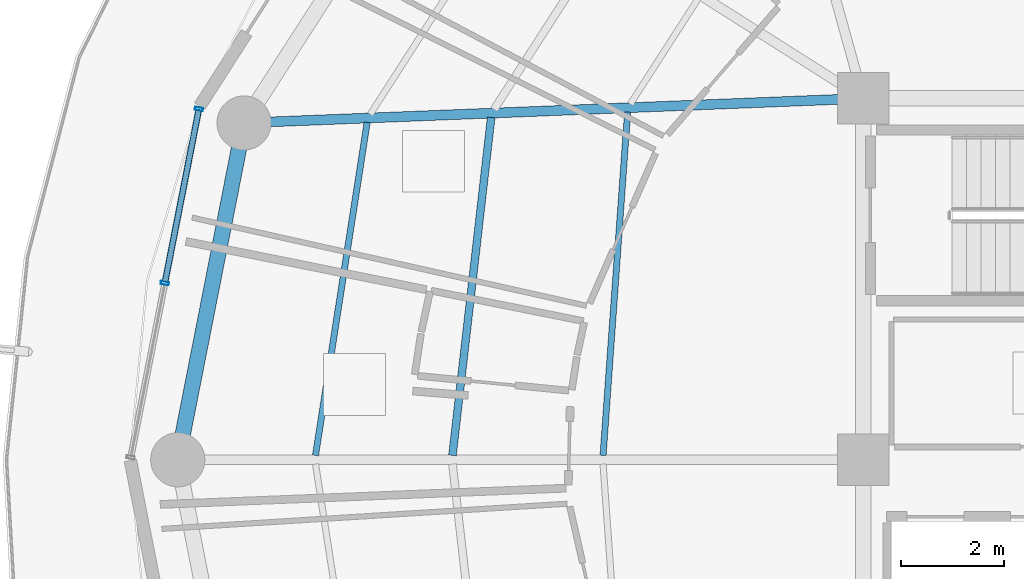
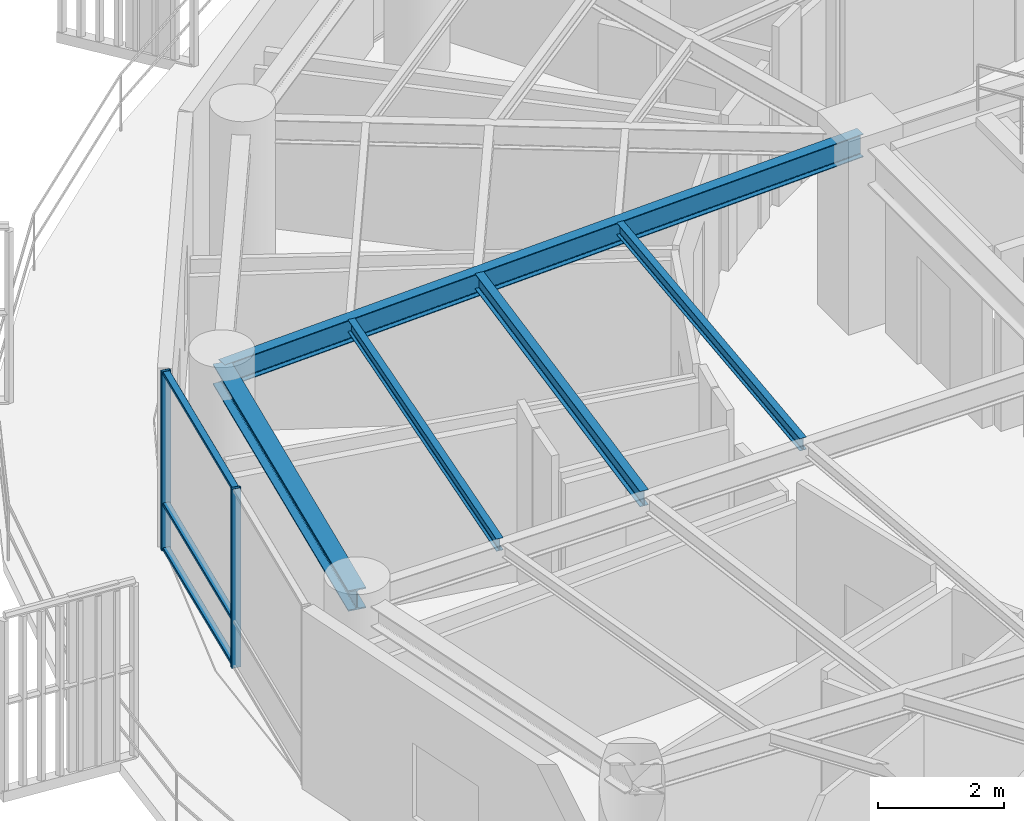
# One storey, part 8 of 30: 5 beams, 5 members, 1 element without a shape of its own.
"""IFC4 building model written with IfcOpenShell, lengths in metres."""

from ifc_helpers import new_model, si_unit, direction, frame, origin, origin_2d, place, context, subcontext, project, spatial, hollow_rectangle, i_section, extrude, material, layer, layer_set, material_profile, profile_set, type_object, element, aggregate, save


model = new_model("IFC4")

# Units and contexts
model_context = context("Model", 3, precision=1e-05, world=origin(), true_north=direction((0.0, 1.0)))
body_context = subcontext(model_context, "Body", "Model", "MODEL_VIEW")
ifc_project = project(units=[si_unit("LENGTHUNIT", "METRE"), si_unit("AREAUNIT", "SQUARE_METRE"), si_unit("VOLUMEUNIT", "CUBIC_METRE"), si_unit("PLANEANGLEUNIT", "RADIAN"), si_unit("MASSUNIT", "GRAM", prefix="KILO")], contexts=[model_context])

# Site, building, storey
site_placement = place(None, origin())
site = spatial("IfcSite", under=ifc_project, at=site_placement, CompositionType="ELEMENT")
building_placement = place(site_placement, origin())
building = spatial("IfcBuilding", under=site, at=building_placement, Name="Kelanora Arch Commons", CompositionType="ELEMENT")
storey_placement = place(building_placement, frame((0.0, 0.0, 234.449951171875)))
storey = spatial("IfcBuildingStorey", under=building, at=storey_placement, Name="L60", CompositionType="ELEMENT", Elevation=234.449951171875)

# Beams
ifc_material_1 = material(Name="Steel S355", Category="steel")
ifc_material_profile_1 = material_profile(ifc_material_1, i_section(OverallWidth=0.14990234375, OverallDepth=0.300048828125, WebThickness=0.007080078125, FlangeThickness=0.0107421875, FilletRadius=0.014892578125, at=origin_2d()), Name="IPE300")
ifc_profile_set_1 = profile_set([ifc_material_profile_1], Name="Steel S355")
beam_type_1 = type_object("IfcBeamType", Name="BM-JST-01", PredefinedType="JOIST", material=ifc_profile_set_1)
beam_1_placement = place(storey_placement, frame((58.792236328125, 64.631103515625, 3.340087890625), z_axis=(-0.113891408177, -0.993493204377, 0.0), x_axis=(0.993493204377, -0.113891408177, 0.0)))
element("IfcBeam", 1, at=beam_1_placement, inside=storey, type_object=beam_type_1, Name="Secondary Chord Joist BJB-16 L60", PredefinedType="JOIST", context=body_context, shape_type="SweptSolid", body=[
    extrude(i_section(OverallWidth=0.14990234375, OverallDepth=0.300048828125, WebThickness=0.007080078125, FlangeThickness=0.0107421875, FilletRadius=0.014892578125, at=origin_2d()), origin(), (0.0, 0.0, 1.0), 6.589599609375),
])
ifc_material_profile_2 = material_profile(ifc_material_1, i_section(OverallWidth=0.1201171875, OverallDepth=0.239990234375, WebThickness=0.006103515625, FlangeThickness=0.009765625, FilletRadius=0.014892578125, at=origin_2d()), Name="IPE240")
ifc_profile_set_2 = profile_set([ifc_material_profile_2], Name="Steel S355")
beam_type_2 = type_object("IfcBeamType", Name="BM-JST-02", PredefinedType="JOIST", material=ifc_profile_set_2)
beam_2_placement = place(storey_placement, frame((61.435302734375, 64.735107421875, 3.3701171875), z_axis=(-0.07133032136, -0.997452748382, 0.0), x_axis=(0.997452748382, -0.07133032136, 0.0)))
element("IfcBeam", 2, at=beam_2_placement, inside=storey, type_object=beam_type_2, Name="Secondary Chord Joist BJA-16 L60", PredefinedType="JOIST", context=body_context, shape_type="SweptSolid", body=[
    extrude(i_section(OverallWidth=0.1201171875, OverallDepth=0.239990234375, WebThickness=0.006103515625, FlangeThickness=0.009765625, FilletRadius=0.014892578125, at=origin_2d()), origin(), (0.0, 0.0, 1.0), 6.66748046875),
])
beam_3_placement = place(storey_placement, frame((56.3896484375, 64.53662109375, 3.3701171875), z_axis=(-0.153256756152, -0.988186402808, 0.0), x_axis=(0.988186402808, -0.153256756152, 0.0)))
element("IfcBeam", 3, at=beam_3_placement, inside=storey, type_object=beam_type_2, Name="Secondary Chord Joist BJC-16 L60", PredefinedType="JOIST", context=body_context, shape_type="SweptSolid", body=[
    extrude(i_section(OverallWidth=0.1201171875, OverallDepth=0.239990234375, WebThickness=0.006103515625, FlangeThickness=0.009765625, FilletRadius=0.014892578125, at=origin_2d()), origin(), (0.0, 0.0, 1.0), 6.52978515625),
])
ifc_material_profile_3 = material_profile(ifc_material_1, i_section(OverallWidth=0.18994140625, OverallDepth=0.449951171875, WebThickness=0.009521484375, FlangeThickness=0.0146484375, FilletRadius=0.02099609375, at=origin_2d()), Name="IPE450")
ifc_profile_set_3 = profile_set([ifc_material_profile_3], Name="Steel S355")
beam_type_3 = type_object("IfcBeamType", Name="BM-RAD-Z4", PredefinedType="BEAM", material=ifc_profile_set_3)
beam_4_placement = place(storey_placement, frame((66.0, 65.0, 3.26513671875), z_axis=(-0.999219142585, -0.03951082246, 0.0), x_axis=(0.03951082246, -0.999219142585, 0.0)))
element("IfcBeam", 4, at=beam_4_placement, inside=storey, type_object=beam_type_3, Name="Radial Floor Girder BR-16 L60", PredefinedType="BEAM", context=body_context, shape_type="SweptSolid", body=[
    extrude(i_section(OverallWidth=0.18994140625, OverallDepth=0.449951171875, WebThickness=0.009521484375, FlangeThickness=0.0146484375, FilletRadius=0.02099609375, at=origin_2d()), origin(), (0.0, 0.0, 1.0), 12.005859375),
])
ifc_material_profile_4 = material_profile(ifc_material_1, i_section(OverallWidth=0.300048828125, OverallDepth=0.39990234375, WebThickness=0.013427734375, FlangeThickness=0.02392578125, FilletRadius=0.027099609375, at=origin_2d()), Name="HEB400")
ifc_profile_set_4 = profile_set([ifc_material_profile_4], Name="Steel S355")
beam_type_4 = type_object("IfcBeamType", Name="BM-SPN-Z4", PredefinedType="SPANDREL", material=ifc_profile_set_4)
beam_5_placement = place(storey_placement, frame((54.00341796875, 64.525634765625, 3.2900390625), z_axis=(-0.192980724826, -0.981202547819, 0.0), x_axis=(0.981202547819, -0.192980724826, 0.0)))
element("IfcBeam", 5, at=beam_5_placement, inside=storey, type_object=beam_type_4, Name="Perimeter Spandrel Beam BS-16 L60", PredefinedType="SPANDREL", context=body_context, shape_type="SweptSolid", body=[
    extrude(i_section(OverallWidth=0.300048828125, OverallDepth=0.39990234375, WebThickness=0.013427734375, FlangeThickness=0.02392578125, FilletRadius=0.027099609375, at=origin_2d()), origin(), (0.0, 0.0, 1.0), 6.650634765625),
])

# Curtain wall, members
ifc_material_2 = material(Name="Terracotta ceramic-fritted low-E glass and aluminium", Category="masonry")
ifc_layer = layer(ifc_material_2, 0.175048828125)
ifc_layer_set = layer_set([ifc_layer], Name="Terracotta ceramic-fritted low-E glass and aluminium")
curtain_wall_type = type_object("IfcCurtainWallType", Name="CW-SYS-02", PredefinedType="NOTDEFINED", material=ifc_layer_set)
curtain_wall_placement = place(storey_placement, origin())
curtain_wall = element("IfcCurtainWall", 6, at=curtain_wall_placement, inside=storey, type_object=curtain_wall_type, Name="Unitised Curtain Wall L60-B08", PredefinedType="NOTDEFINED")
ifc_material_3 = material(Name="Powder-coated aluminium terracotta", Category="masonry")
ifc_material_profile_5 = material_profile(ifc_material_3, hollow_rectangle(XDim=0.159912109375, YDim=0.06005859375, WallThickness=0.0048828125, InnerFilletRadius=0.0048828125, OuterFilletRadius=0.010009765625, at=origin_2d()), Name="CWM160x60")
ifc_profile_set_5 = profile_set([ifc_material_profile_5], Name="Powder-coated aluminium terracotta")
member_type_1 = type_object("IfcMemberType", Name="CWM-STD", PredefinedType="MULLION", material=ifc_profile_set_5)
member_1_placement = place(storey_placement, frame((53.130126953125, 64.796142578125, 0.0), z_axis=(0.0, 0.0, 1.0), x_axis=(0.981381438349, -0.192068926335, 0.0)))
member_1 = element("IfcMember", 7, at=member_1_placement, type_object=member_type_1, Name="CW-02 mullion 1", PredefinedType="MULLION", context=body_context, shape_type="SweptSolid", body=[
    extrude(hollow_rectangle(XDim=0.159912109375, YDim=0.06005859375, WallThickness=0.0048828125, InnerFilletRadius=0.0048828125, OuterFilletRadius=0.010009765625, at=origin_2d()), origin(), (0.0, 0.0, 1.0), 3.47509765625),
])
member_2_placement = place(storey_placement, frame((52.469482421875, 61.420166015625, 0.0), z_axis=(0.0, 0.0, 1.0), x_axis=(0.981381438349, -0.192068926335, 0.0)))
member_2 = element("IfcMember", 8, at=member_2_placement, type_object=member_type_1, Name="CW-02 mullion 2", PredefinedType="MULLION", context=body_context, shape_type="SweptSolid", body=[
    extrude(hollow_rectangle(XDim=0.159912109375, YDim=0.06005859375, WallThickness=0.0048828125, InnerFilletRadius=0.0048828125, OuterFilletRadius=0.010009765625, at=origin_2d()), origin(), (0.0, 0.0, 1.0), 3.47509765625),
])
ifc_material_profile_6 = material_profile(ifc_material_3, hollow_rectangle(XDim=0.1201171875, YDim=0.06005859375, WallThickness=0.0048828125, InnerFilletRadius=0.0048828125, OuterFilletRadius=0.010009765625, at=origin_2d()), Name="CWT120x60")
ifc_profile_set_6 = profile_set([ifc_material_profile_6], Name="Powder-coated aluminium terracotta")
member_type_2 = type_object("IfcMemberType", Name="CWT-STD", PredefinedType="USERDEFINED", material=ifc_profile_set_6)
member_3_placement = place(storey_placement, frame((53.124267578125, 64.766845703125, 0.030029296875), z_axis=(-0.192058488005, -0.981383481207, 0.0), x_axis=(0.981383481207, -0.192058488005, 0.0)))
member_3 = element("IfcMember", 9, at=member_3_placement, type_object=member_type_2, Name="CW-02 transom 1.1", ObjectType="TRANSOM", PredefinedType="USERDEFINED", context=body_context, shape_type="SweptSolid", body=[
    extrude(hollow_rectangle(XDim=0.1201171875, YDim=0.06005859375, WallThickness=0.0048828125, InnerFilletRadius=0.0048828125, OuterFilletRadius=0.010009765625, at=origin_2d()), origin(), (0.0, 0.0, 1.0), 3.380126953125),
])
member_4_placement = place(storey_placement, frame((53.124267578125, 64.766845703125, 0.900146484375), z_axis=(-0.192058488005, -0.981383481207, 0.0), x_axis=(0.981383481207, -0.192058488005, 0.0)))
member_4 = element("IfcMember", 10, at=member_4_placement, type_object=member_type_2, Name="CW-02 transom 1.2", ObjectType="TRANSOM", PredefinedType="USERDEFINED", context=body_context, shape_type="SweptSolid", body=[
    extrude(hollow_rectangle(XDim=0.1201171875, YDim=0.06005859375, WallThickness=0.0048828125, InnerFilletRadius=0.0048828125, OuterFilletRadius=0.010009765625, at=origin_2d()), origin(), (0.0, 0.0, 1.0), 3.380126953125),
])
member_5_placement = place(storey_placement, frame((53.124267578125, 64.766845703125, 3.445068359375), z_axis=(-0.192058488005, -0.981383481207, 0.0), x_axis=(0.981383481207, -0.192058488005, 0.0)))
member_5 = element("IfcMember", 11, at=member_5_placement, type_object=member_type_2, Name="CW-02 transom 1.3", ObjectType="TRANSOM", PredefinedType="USERDEFINED", context=body_context, shape_type="SweptSolid", body=[
    extrude(hollow_rectangle(XDim=0.1201171875, YDim=0.06005859375, WallThickness=0.0048828125, InnerFilletRadius=0.0048828125, OuterFilletRadius=0.010009765625, at=origin_2d()), origin(), (0.0, 0.0, 1.0), 3.380126953125),
])
aggregate(curtain_wall, [member_1, member_2, member_3, member_4, member_5])

save(model, "model.ifc")
